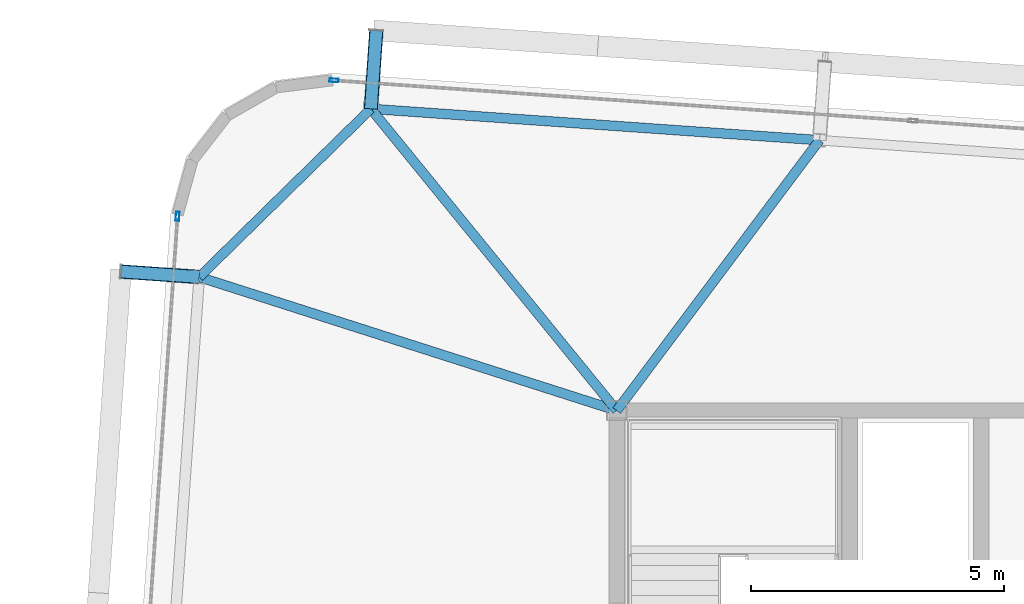
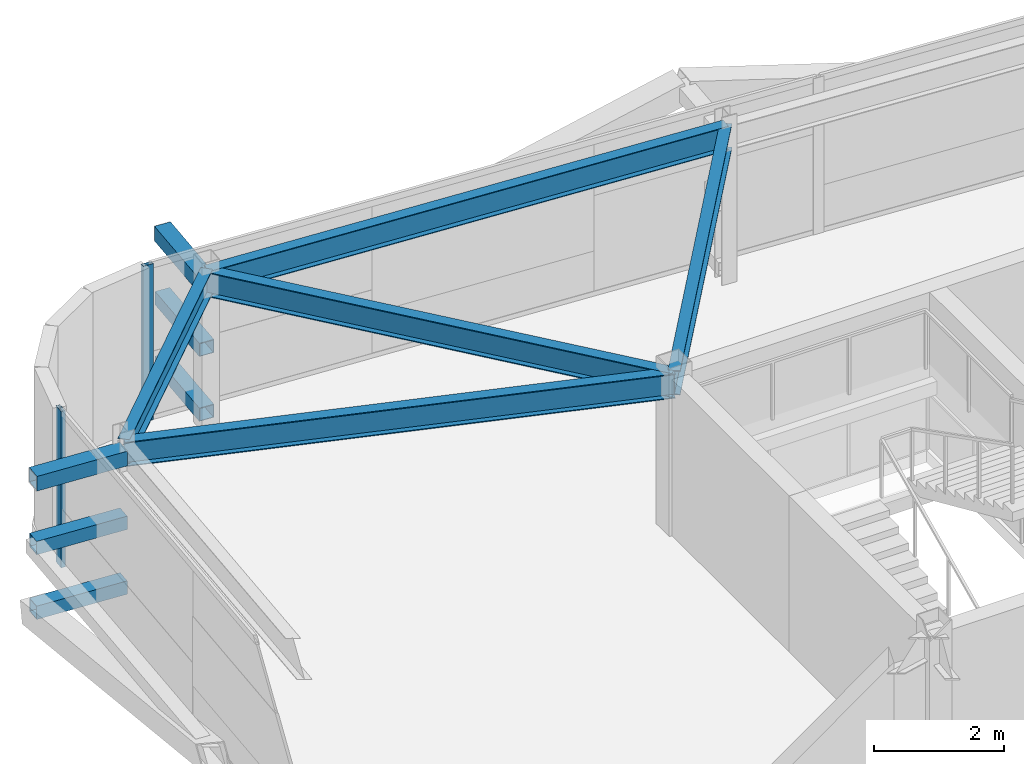
# One storey, part 19 of 39: 8 members, 5 beams, 2 elements without a shape of their own.
"""IFC4 building model written with IfcOpenShell, lengths in metres."""

from ifc_helpers import new_model, si_unit, direction, frame, origin, origin_2d, place, context, subcontext, project, spatial, hollow_rectangle, i_section, extrude, source, transform, mapped, material, layer, layer_set, material_profile, profile_set, type_object, element, aggregate, save


model = new_model("IFC4")

# Units and contexts
model_context = context("Model", 3, precision=1e-05, world=origin(), true_north=direction((0.0, 1.0)))
body_context = subcontext(model_context, "Body", "Model", "MODEL_VIEW")
ifc_project = project(units=[si_unit("LENGTHUNIT", "METRE"), si_unit("AREAUNIT", "SQUARE_METRE"), si_unit("VOLUMEUNIT", "CUBIC_METRE"), si_unit("PLANEANGLEUNIT", "RADIAN"), si_unit("MASSUNIT", "GRAM", prefix="KILO")], contexts=[model_context])

# Site, building, storey
site_placement = place(None, origin())
site = spatial("IfcSite", under=ifc_project, at=site_placement, CompositionType="ELEMENT")
building_placement = place(site_placement, origin())
building = spatial("IfcBuilding", under=site, at=building_placement, Name="Taldren Reach Tower", CompositionType="ELEMENT")
storey_placement = place(building_placement, frame((0.0, 0.0, 158.199951171875)))
storey = spatial("IfcBuildingStorey", under=building, at=storey_placement, Name="L48", CompositionType="ELEMENT", Elevation=158.199951171875)

# Members
ifc_material_1 = material(Name="Steel Gr 450 (C450L0)", Category="steel")
ifc_material_profile_1 = material_profile(ifc_material_1, hollow_rectangle(XDim=0.27490234375, YDim=0.27490234375, WallThickness=0.00927734375, at=origin_2d()), Name="275x275x9.3SHS")
ifc_profile_set_1 = profile_set([ifc_material_profile_1], Name="Steel Gr 450 (C450L0)")
member_type_1 = type_object("IfcMemberType", Name="MB-TIE273", PredefinedType="STRUT", material=ifc_profile_set_1)
shared_shape_1 = source(origin(), body_context, "Body", "SweptSolid", [
    extrude(hollow_rectangle(XDim=0.27490234375, YDim=0.27490234375, WallThickness=0.00927734375, at=origin_2d()), origin(), (0.0, 0.0, 1.0), 1.5498046875),
])
for number, where, z_axis, x_axis, name in (
    (1, (14.14453125, 37.958740234375, 2.650146484375), (0.069780535098, 0.997562367434, 0.0), (-0.997562367434, 0.069780535098, 0.0), "Exoskeleton diaphragm tie strut B3-N1 L48"),
    (2, (10.754638671875, 34.63720703125, 2.650146484375), (-0.997562367434, 0.069780535098, 0.0), (-0.069780535098, -0.997562367434, 0.0), "Exoskeleton diaphragm tie strut B3-W3 L48"),
):
    element("IfcMember", number, at=place(storey_placement, frame(where, z_axis=z_axis, x_axis=x_axis)), inside=storey, type_object=member_type_1, Name=name, PredefinedType="STRUT", context=body_context, shape_type="MappedRepresentation", body=[
        mapped(shared_shape_1, transform((0.0, 0.0, 0.0), scale=1.0)),
    ])
ifc_material_2 = material(Name="Steel Gr 350 (C350L0)", Category="steel")
ifc_material_profile_2 = material_profile(ifc_material_2, hollow_rectangle(XDim=0.25, YDim=0.25, WallThickness=0.010009765625, at=origin_2d()), Name="250x250x10.0SHS")
ifc_profile_set_2 = profile_set([ifc_material_profile_2], Name="Steel Gr 350 (C350L0)")
member_type_2 = type_object("IfcMemberType", Name="MB-POST250", PredefinedType="POST", material=ifc_profile_set_2)
shared_shape_2 = source(origin(), body_context, "Body", "SweptSolid", [
    extrude(hollow_rectangle(XDim=0.25, YDim=0.25, WallThickness=0.010009765625, at=origin_2d()), origin(), (0.0, 0.0, 1.0), 1.5498046875),
])
for number, where, z_axis, x_axis, name in (
    (3, (14.14453125, 37.958740234375, 0.219970703125), (0.069780535098, 0.997562367434, 0.0), (-0.997562367434, 0.069780535098, 0.0), "Exoskeleton base diaphragm tie strut B3-N1 L48"),
    (4, (10.754638671875, 34.63720703125, 0.219970703125), (-0.997562367434, 0.069780535098, 0.0), (-0.069780535098, -0.997562367434, 0.0), "Exoskeleton base diaphragm tie strut B3-W3 L48"),
    (5, (14.14453125, 37.958740234375, 1.43505859375), (0.069780535098, 0.997562367434, 0.0), (-0.997562367434, 0.069780535098, 0.0), "Exoskeleton mid-tier diaphragm tie B3-N1 L48"),
    (6, (10.754638671875, 34.63720703125, 1.43505859375), (-0.997562367434, 0.069780535098, 0.0), (-0.069780535098, -0.997562367434, 0.0), "Exoskeleton mid-tier diaphragm tie B3-W3 L48"),
):
    element("IfcMember", number, at=place(storey_placement, frame(where, z_axis=z_axis, x_axis=x_axis)), inside=storey, type_object=member_type_2, Name=name, PredefinedType="POST", context=body_context, shape_type="MappedRepresentation", body=[
        mapped(shared_shape_2, transform((0.0, 0.0, 0.0), scale=1.0)),
    ])

# Beams
ifc_material_3 = material(Name="Steel Gr 350 (350PLUS)", Category="steel")
ifc_material_profile_3 = material_profile(ifc_material_3, i_section(OverallWidth=0.18994140625, OverallDepth=0.4541015625, WebThickness=0.008544921875, FlangeThickness=0.0126953125, at=origin_2d()), Name="460UB67.1")
ifc_profile_set_3 = profile_set([ifc_material_profile_3], Name="Steel Gr 350 (350PLUS)")
beam_type_1 = type_object("IfcBeamType", Name="SP-UB460B", PredefinedType="SPANDREL", material=ifc_profile_set_3)
shared_shape_3 = source(origin(), body_context, "Body", "SweptSolid", [
    extrude(i_section(OverallWidth=0.18994140625, OverallDepth=0.4541015625, WebThickness=0.008544921875, FlangeThickness=0.0126953125, at=origin_2d()), origin(), (0.0, 0.0, 1.0), 8.880126953125),
])
beam_1_placement = place(storey_placement, frame((23.0029296875, 37.33935546875, 2.703125), z_axis=(-0.997564479639, 0.069750333063, 0.0), x_axis=(-0.069750333063, -0.997564479639, 0.0)))
element("IfcBeam", 7, at=beam_1_placement, inside=storey, type_object=beam_type_1, Name="Perimeter spandrel B3 N2-N1 L48", PredefinedType="SPANDREL", context=body_context, shape_type="MappedRepresentation", body=[
    mapped(shared_shape_3, transform((0.0, 0.0, 0.0), scale=1.0)),
])
shared_shape_4 = source(origin(), body_context, "Body", "SweptSolid", [
    extrude(i_section(OverallWidth=0.18994140625, OverallDepth=0.4541015625, WebThickness=0.008544921875, FlangeThickness=0.0126953125, at=origin_2d()), origin(), (0.0, 0.0, 1.0), 4.745849609375),
])
beam_2_placement = place(storey_placement, frame((14.14453125, 37.958740234375, 2.703125), z_axis=(-0.714271982806, -0.699868226581, 0.0), x_axis=(0.699868226581, -0.714271982806, 0.0)))
element("IfcBeam", 8, at=beam_2_placement, inside=storey, type_object=beam_type_1, Name="Perimeter spandrel B3 N1-W3 L48", PredefinedType="SPANDREL", context=body_context, shape_type="MappedRepresentation", body=[
    mapped(shared_shape_4, transform((0.0, 0.0, 0.0), scale=1.0)),
])
ifc_material_profile_4 = material_profile(ifc_material_3, i_section(OverallWidth=0.19091796875, OverallDepth=0.4599609375, WebThickness=0.010009765625, FlangeThickness=0.01611328125, at=origin_2d()), Name="460UB82.1")
ifc_profile_set_4 = profile_set([ifc_material_profile_4], Name="Steel Gr 350 (350PLUS)")
beam_type_2 = type_object("IfcBeamType", Name="BM-UB460A", PredefinedType="BEAM", material=ifc_profile_set_4)
shared_shape_5 = source(origin(), body_context, "Body", "SweptSolid", [
    extrude(i_section(OverallWidth=0.19091796875, OverallDepth=0.4599609375, WebThickness=0.010009765625, FlangeThickness=0.01611328125, at=origin_2d()), origin(), (0.0, 0.0, 1.0), 6.67333984375),
])
beam_3_placement = place(storey_placement, frame((19.0, 32.0, 2.699951171875), z_axis=(0.599847795508, 0.800114130749, 0.0), x_axis=(-0.800114130749, 0.599847795508, 0.0)))
element("IfcBeam", 9, at=beam_3_placement, inside=storey, type_object=beam_type_2, Name="Primary floor girder B3-N2 L48", PredefinedType="BEAM", context=body_context, shape_type="MappedRepresentation", body=[
    mapped(shared_shape_5, transform((0.0, 0.0, 0.0), scale=1.0)),
])
shared_shape_6 = source(origin(), body_context, "Body", "SweptSolid", [
    extrude(i_section(OverallWidth=0.19091796875, OverallDepth=0.4599609375, WebThickness=0.010009765625, FlangeThickness=0.01611328125, at=origin_2d()), origin(), (0.0, 0.0, 1.0), 7.6865234375),
])
beam_4_placement = place(storey_placement, frame((19.0, 32.0, 2.699951171875), z_axis=(-0.631688504871, 0.775222311866, 0.0), x_axis=(-0.775222311866, -0.631688504871, 0.0)))
element("IfcBeam", 10, at=beam_4_placement, inside=storey, type_object=beam_type_2, Name="Primary floor girder B3-N1 L48", PredefinedType="BEAM", context=body_context, shape_type="MappedRepresentation", body=[
    mapped(shared_shape_6, transform((0.0, 0.0, 0.0), scale=1.0)),
])
shared_shape_7 = source(origin(), body_context, "Body", "SweptSolid", [
    extrude(i_section(OverallWidth=0.19091796875, OverallDepth=0.4599609375, WebThickness=0.010009765625, FlangeThickness=0.01611328125, at=origin_2d()), origin(), (0.0, 0.0, 1.0), 8.65673828125),
])
beam_5_placement = place(storey_placement, frame((19.0, 32.0, 2.699951171875), z_axis=(-0.952468016288, 0.304638602195, 0.0), x_axis=(-0.304638602195, -0.952468016288, 0.0)))
element("IfcBeam", 11, at=beam_5_placement, inside=storey, type_object=beam_type_2, Name="Primary floor girder B3-W3 L48", PredefinedType="BEAM", context=body_context, shape_type="MappedRepresentation", body=[
    mapped(shared_shape_7, transform((0.0, 0.0, 0.0), scale=1.0)),
])

# Curtain wall, member
ifc_material_4 = material(Name="Aluminium and Low-E Glass Unitised System", Category="aluminium")
ifc_layer = layer(ifc_material_4, 0.159912109375)
ifc_layer_set = layer_set([ifc_layer], Name="Aluminium and Low-E Glass Unitised System")
curtain_wall_type = type_object("IfcCurtainWallType", Name="CW-SYS-4", PredefinedType="NOTDEFINED", material=ifc_layer_set)
curtain_wall_1_placement = place(storey_placement, origin())
curtain_wall_1 = element("IfcCurtainWall", 12, at=curtain_wall_1_placement, inside=storey, type_object=curtain_wall_type, Name="Unitised curtain wall CW-L48-N", PredefinedType="NOTDEFINED")
ifc_material_5 = material(Name="Anodised Aluminium 6063-T6", Category="aluminium")
ifc_material_profile_5 = material_profile(ifc_material_5, hollow_rectangle(XDim=0.070068359375, YDim=0.179931640625, WallThickness=0.00390625, at=origin_2d()), Name="ALU-180x70x4RHS")
ifc_profile_set_5 = profile_set([ifc_material_profile_5], Name="Anodised Aluminium 6063-T6")
member_type_3 = type_object("IfcMemberType", Name="CW-MUL-180", PredefinedType="MULLION", material=ifc_profile_set_5)
shared_shape_8 = source(origin(), body_context, "Body", "SweptSolid", [
    extrude(hollow_rectangle(XDim=0.070068359375, YDim=0.179931640625, WallThickness=0.00390625, at=origin_2d()), origin(), (0.0, 0.0, 1.0), 2.929931640625),
])
member_1_placement = place(storey_placement, frame((13.4169921875, 38.52099609375, 0.0), z_axis=(0.0, 0.0, 1.0), x_axis=(-0.06975651593, -0.99756404731, 0.0)))
member_1 = element("IfcMember", 13, at=member_1_placement, type_object=member_type_3, Name="CW-4 mullion 5", PredefinedType="MULLION", context=body_context, shape_type="MappedRepresentation", body=[
    mapped(shared_shape_8, transform((0.0, 0.0, 0.0), scale=1.0)),
])
aggregate(curtain_wall_1, [member_1])

curtain_wall_2_placement = place(storey_placement, origin())
curtain_wall_2 = element("IfcCurtainWall", 14, at=curtain_wall_2_placement, inside=storey, type_object=curtain_wall_type, Name="Unitised curtain wall CW-L48-W", PredefinedType="NOTDEFINED")
member_2_placement = place(storey_placement, frame((10.3271484375, 35.8349609375, 0.0), z_axis=(0.0, 0.0, 1.0), x_axis=(0.997564052812, -0.069756437251, 0.0)))
member_2 = element("IfcMember", 15, at=member_2_placement, type_object=member_type_3, Name="CW-4 mullion 1", PredefinedType="MULLION", context=body_context, shape_type="MappedRepresentation", body=[
    mapped(shared_shape_8, transform((0.0, 0.0, 0.0), scale=1.0)),
])
aggregate(curtain_wall_2, [member_2])

save(model, "model.ifc")
